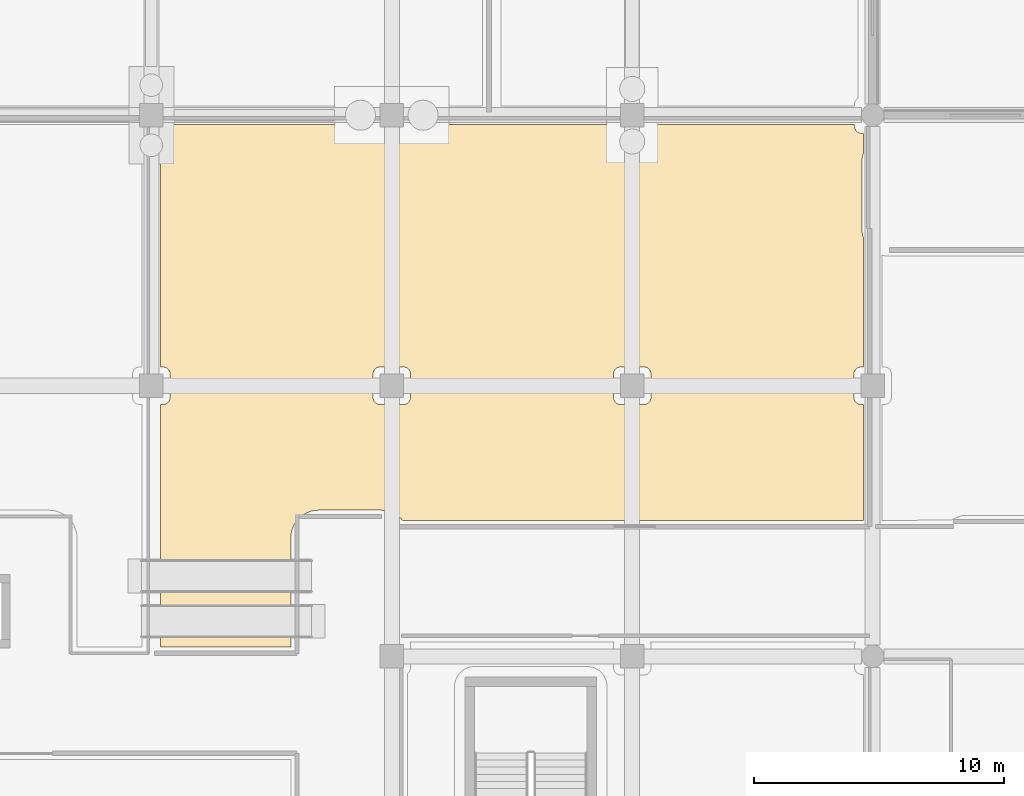
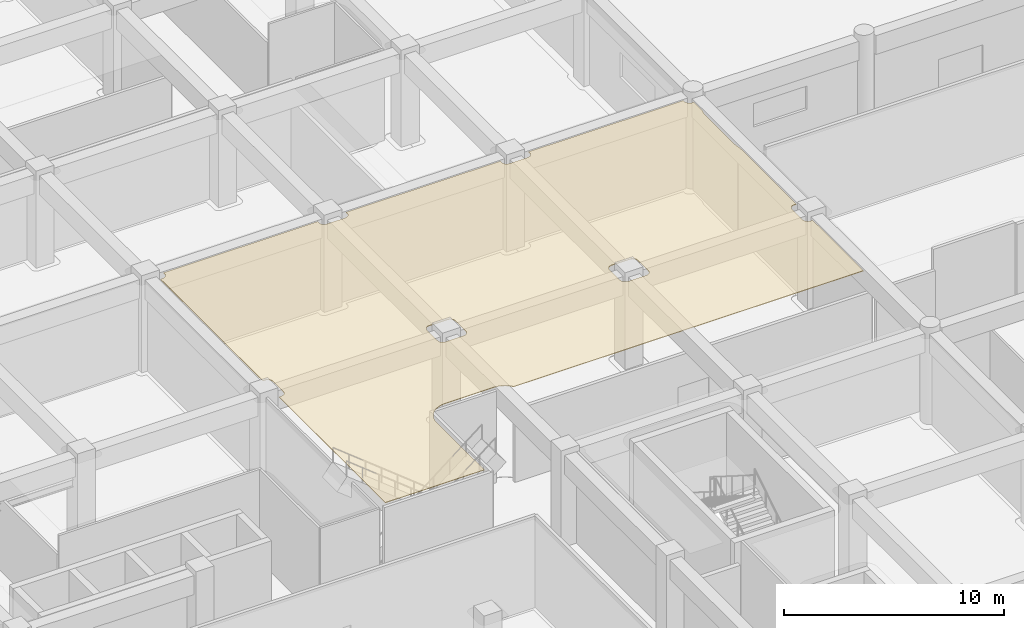
# One storey, part 56 of 74: 1 covering.
"""IFC4 building model written with IfcOpenShell, lengths in metres."""

from ifc_helpers import new_model, si_unit, direction, frame, origin, place, context, subcontext, project, spatial, polyline, outline, extrude, material, layer, layer_set, type_object, element, save


model = new_model("IFC4")

# Units and contexts
model_context = context("Model", 3, precision=1e-05, world=origin(), true_north=direction((0.0, 1.0)))
body_context = subcontext(model_context, "Body", "Model", "MODEL_VIEW")
ifc_project = project(units=[si_unit("LENGTHUNIT", "METRE"), si_unit("AREAUNIT", "SQUARE_METRE"), si_unit("VOLUMEUNIT", "CUBIC_METRE"), si_unit("PLANEANGLEUNIT", "RADIAN"), si_unit("MASSUNIT", "GRAM", prefix="KILO")], contexts=[model_context])

# Site, building, storey
site_placement = place(None, origin())
site = spatial("IfcSite", under=ifc_project, at=site_placement, CompositionType="ELEMENT")
building_placement = place(site_placement, origin())
building = spatial("IfcBuilding", under=site, at=building_placement, Name="Cendralis Terraced Arcade", CompositionType="ELEMENT")
storey_placement = place(building_placement, origin())
storey = spatial("IfcBuildingStorey", under=building, at=storey_placement, Name="L00", CompositionType="ELEMENT", Elevation=0.0)

# Covering
ifc_material = material(Name="Warm Andean oak timber", Category="wood")
ifc_layer = layer(ifc_material, 0.034912109375, Name="COV-CEIL-OAK-35")
ifc_layer_set = layer_set([ifc_layer], Name="Warm Andean oak timber")
covering_type = type_object("IfcCoveringType", Name="COV-CEIL-OAK-35", PredefinedType="CEILING", material=ifc_layer_set)
covering_placement = place(storey_placement, frame((0.0, 0.0, 5.054931640625)))
element("IfcCovering", 1, at=covering_placement, inside=storey, type_object=covering_type, Name="Acoustic Soffit Ceiling L00-029", PredefinedType="CEILING", context=body_context, shape_type="SweptSolid", body=[
    extrude(outline(polyline([(48.430908203125, 43.833251953125), (48.42724609375, 43.837890625), (48.423095703125, 43.84228515625), (48.382080078125, 43.887451171875), (48.378173828125, 43.89208984375), (48.3740234375, 43.896240234375), (48.36962890625, 43.900634765625), (48.361328125, 43.908935546875), (48.35693359375, 43.9130859375), (48.352783203125, 43.917236328125), (48.34814453125, 43.92138671875), (48.302978515625, 43.96240234375), (48.298583984375, 43.96630859375), (48.294189453125, 43.97021484375), (48.289306640625, 43.97412109375), (48.2802734375, 43.981689453125), (48.275390625, 43.985595703125), (48.27099609375, 43.989013671875), (48.26611328125, 43.992919921875), (48.217041015625, 44.029052734375), (48.212158203125, 44.03271484375), (48.207275390625, 44.0361328125), (48.202392578125, 44.03955078125), (48.1923828125, 44.046142578125), (48.187255859375, 44.04931640625), (48.182373046875, 44.052490234375), (48.177001953125, 44.055908203125), (48.125, 44.087158203125), (48.11962890625, 44.090087890625), (48.114501953125, 44.093017578125), (48.109130859375, 44.095947265625), (48.098876953125, 44.1015625), (48.09326171875, 44.1044921875), (48.087890625, 44.107177734375), (48.08251953125, 44.109619140625), (48.027587890625, 44.1357421875), (48.02197265625, 44.13818359375), (48.0166015625, 44.140625), (48.010986328125, 44.14306640625), (48.0, 44.147705078125), (47.994384765625, 44.14990234375), (47.989013671875, 44.152099609375), (47.983154296875, 44.154296875), (47.92578125, 44.1748046875), (47.919921875, 44.1767578125), (47.914306640625, 44.178466796875), (47.90869140625, 44.180419921875), (47.897216796875, 44.183837890625), (47.891357421875, 44.185546875), (47.8857421875, 44.18701171875), (47.8798828125, 44.188720703125), (47.82080078125, 44.203369140625), (47.814697265625, 44.204833984375), (47.80908203125, 44.2060546875), (47.802978515625, 44.20751953125), (47.79150390625, 44.209716796875), (47.785400390625, 44.210693359375), (47.77978515625, 44.2119140625), (47.773681640625, 44.212890625), (47.71337890625, 44.2216796875), (47.70751953125, 44.222412109375), (47.701416015625, 44.223388671875), (47.6953125, 44.223876953125), (47.68359375, 44.22509765625), (47.677490234375, 44.2255859375), (47.671630859375, 44.22607421875), (47.66552734375, 44.226318359375), (47.604736328125, 44.2294921875), (47.601806640625, 44.2294921875), (47.598876953125, 44.2294921875), (47.595703125, 44.229736328125), (47.58984375, 44.22998046875), (47.5869140625, 44.22998046875), (47.583740234375, 44.22998046875), (47.580810546875, 44.22998046875), (45.080078125, 44.22998046875), (45.076904296875, 44.22998046875), (45.073974609375, 44.22998046875), (45.07080078125, 44.22998046875), (45.06494140625, 44.229736328125), (45.06201171875, 44.2294921875), (45.05908203125, 44.2294921875), (45.055908203125, 44.2294921875), (44.9951171875, 44.226318359375), (44.989013671875, 44.22607421875), (44.983154296875, 44.2255859375), (44.97705078125, 44.22509765625), (44.96533203125, 44.223876953125), (44.959228515625, 44.223388671875), (44.953369140625, 44.222412109375), (44.947265625, 44.2216796875), (44.88720703125, 44.212890625), (44.881103515625, 44.2119140625), (44.875244140625, 44.210693359375), (44.869384765625, 44.209716796875), (44.857666015625, 44.20751953125), (44.851806640625, 44.2060546875), (44.845947265625, 44.204833984375), (44.840087890625, 44.203369140625), (44.781005859375, 44.188720703125), (44.77490234375, 44.18701171875), (44.769287109375, 44.185546875), (44.763427734375, 44.183837890625), (44.752197265625, 44.180419921875), (44.746337890625, 44.178466796875), (44.74072265625, 44.1767578125), (44.73486328125, 44.1748046875), (44.677734375, 44.154296875), (44.671875, 44.152099609375), (44.66650390625, 44.14990234375), (44.66064453125, 44.147705078125), (44.64990234375, 44.14306640625), (44.644287109375, 44.140625), (44.638916015625, 44.13818359375), (44.63330078125, 44.1357421875), (44.578125, 44.109619140625), (44.57275390625, 44.107177734375), (44.5673828125, 44.1044921875), (44.56201171875, 44.1015625), (44.551513671875, 44.095947265625), (44.546142578125, 44.093017578125), (44.541015625, 44.090087890625), (44.535888671875, 44.087158203125), (44.483642578125, 44.055908203125), (44.478515625, 44.052490234375), (44.473388671875, 44.04931640625), (44.46826171875, 44.046142578125), (44.45849609375, 44.03955078125), (44.453369140625, 44.0361328125), (44.448486328125, 44.03271484375), (44.443603515625, 44.029052734375), (44.394775390625, 43.992919921875), (44.389892578125, 43.989013671875), (44.38525390625, 43.985595703125), (44.380615234375, 43.981689453125), (44.371337890625, 43.97412109375), (44.36669921875, 43.97021484375), (44.3623046875, 43.96630859375), (44.357666015625, 43.96240234375), (44.3125, 43.92138671875), (44.30810546875, 43.917236328125), (44.3037109375, 43.9130859375), (44.29931640625, 43.908935546875), (44.291015625, 43.900634765625), (44.286865234375, 43.896240234375), (44.28271484375, 43.89208984375), (44.278564453125, 43.887451171875), (44.23779296875, 43.84228515625), (44.233642578125, 43.837890625), (44.229736328125, 43.833251953125), (44.225830078125, 43.82861328125), (44.21826171875, 43.819580078125), (44.214599609375, 43.814697265625), (44.2109375, 43.81005859375), (44.207275390625, 43.80517578125), (44.1708984375, 43.75634765625), (44.167236328125, 43.75146484375), (44.163818359375, 43.74658203125), (44.160400390625, 43.741455078125), (44.15380859375, 43.731689453125), (44.150634765625, 43.7265625), (44.1474609375, 43.7216796875), (44.144287109375, 43.71630859375), (44.11279296875, 43.664306640625), (44.10986328125, 43.658935546875), (44.10693359375, 43.65380859375), (44.10400390625, 43.6484375), (44.098388671875, 43.637939453125), (44.095703125, 43.632568359375), (44.093017578125, 43.627197265625), (44.09033203125, 43.621826171875), (44.064208984375, 43.56689453125), (44.061767578125, 43.561279296875), (44.059326171875, 43.555908203125), (44.056884765625, 43.55029296875), (44.052490234375, 43.539306640625), (44.050048828125, 43.53369140625), (44.048095703125, 43.528076171875), (44.0458984375, 43.522216796875), (44.025390625, 43.465087890625), (44.023193359375, 43.459228515625), (44.021484375, 43.45361328125), (44.01953125, 43.44775390625), (44.01611328125, 43.4365234375), (44.014404296875, 43.4306640625), (44.012939453125, 43.425048828125), (44.011474609375, 43.4189453125), (43.99658203125, 43.360107421875), (43.9951171875, 43.35400390625), (43.993896484375, 43.348388671875), (43.99267578125, 43.34228515625), (43.990234375, 43.330810546875), (43.9892578125, 43.32470703125), (43.98828125, 43.31884765625), (43.9873046875, 43.31298828125), (43.978271484375, 43.252685546875), (43.9775390625, 43.24658203125), (43.976806640625, 43.24072265625), (43.97607421875, 43.234619140625), (43.974853515625, 43.222900390625), (43.974365234375, 43.216796875), (43.97412109375, 43.2109375), (43.9736328125, 43.204833984375), (43.970703125, 43.14404296875), (43.970458984375, 43.14111328125), (43.970458984375, 43.137939453125), (43.97021484375, 43.135009765625), (43.97021484375, 43.129150390625), (43.97021484375, 43.1259765625), (43.969970703125, 43.123046875), (43.969970703125, 43.1201171875), (43.969970703125, 38.77001953125), (38.77001953125, 38.77001953125), (38.77001953125, 48.455078125), (38.875, 48.455078125), (38.88720703125, 48.455322265625), (38.88916015625, 48.455322265625), (38.91357421875, 48.457763671875), (38.91552734375, 48.4580078125), (38.939697265625, 48.462890625), (38.941650390625, 48.46337890625), (38.965087890625, 48.470458984375), (38.966796875, 48.47119140625), (38.989501953125, 48.48046875), (38.9912109375, 48.4814453125), (39.012939453125, 48.492919921875), (39.0146484375, 48.493896484375), (39.034912109375, 48.507568359375), (39.03662109375, 48.5087890625), (39.0556640625, 48.5244140625), (39.056884765625, 48.525634765625), (39.074462890625, 48.54296875), (39.07568359375, 48.54443359375), (39.09130859375, 48.5634765625), (39.09228515625, 48.56494140625), (39.106201171875, 48.58544921875), (39.107177734375, 48.5869140625), (39.11865234375, 48.608642578125), (39.119384765625, 48.610595703125), (39.12890625, 48.633056640625), (39.12939453125, 48.635009765625), (39.13671875, 48.658447265625), (39.13720703125, 48.660400390625), (39.141845703125, 48.684326171875), (39.14208984375, 48.686279296875), (39.14453125, 48.710693359375), (39.144775390625, 48.712646484375), (39.14501953125, 48.72509765625), (39.14501953125, 49.675048828125), (39.144775390625, 49.687255859375), (39.14453125, 49.689208984375), (39.14208984375, 49.713623046875), (39.141845703125, 49.715576171875), (39.13720703125, 49.739501953125), (39.13671875, 49.74169921875), (39.12939453125, 49.764892578125), (39.12890625, 49.766845703125), (39.119384765625, 49.78955078125), (39.11865234375, 49.791259765625), (39.107177734375, 49.81298828125), (39.106201171875, 49.814697265625), (39.09228515625, 49.8349609375), (39.09130859375, 49.836669921875), (39.07568359375, 49.855712890625), (39.074462890625, 49.85693359375), (39.056884765625, 49.87451171875), (39.0556640625, 49.875732421875), (39.03662109375, 49.891357421875), (39.034912109375, 49.892333984375), (39.0146484375, 49.906005859375), (39.012939453125, 49.906982421875), (38.9912109375, 49.918701171875), (38.989501953125, 49.91943359375), (38.966796875, 49.928955078125), (38.965087890625, 49.929443359375), (38.941650390625, 49.9365234375), (38.939697265625, 49.93701171875), (38.91552734375, 49.94189453125), (38.91357421875, 49.942138671875), (38.88916015625, 49.944580078125), (38.88720703125, 49.944580078125), (38.875, 49.945068359375), (38.77001953125, 49.945068359375), (38.77001953125, 59.2548828125), (38.875, 59.2548828125), (38.88720703125, 59.25537109375), (38.88916015625, 59.25537109375), (38.91357421875, 59.2578125), (38.91552734375, 59.258056640625), (38.939697265625, 59.262939453125), (38.941650390625, 59.263427734375), (38.965087890625, 59.2705078125), (38.966796875, 59.27099609375), (38.989501953125, 59.280517578125), (38.9912109375, 59.281494140625), (39.012939453125, 59.29296875), (39.0146484375, 59.2939453125), (39.034912109375, 59.3076171875), (39.03662109375, 59.30859375), (39.0556640625, 59.32421875), (39.056884765625, 59.32568359375), (39.074462890625, 59.343017578125), (39.07568359375, 59.344482421875), (39.09130859375, 59.36328125), (39.09228515625, 59.364990234375), (39.106201171875, 59.385498046875), (39.107177734375, 59.386962890625), (39.11865234375, 59.40869140625), (39.119384765625, 59.410400390625), (39.12890625, 59.43310546875), (39.12939453125, 59.43505859375), (39.13671875, 59.45849609375), (39.13720703125, 59.46044921875), (39.141845703125, 59.484375), (39.14208984375, 59.486328125), (39.14453125, 59.5107421875), (39.144775390625, 59.5126953125), (39.14501953125, 59.52490234375), (39.14501953125, 59.6298828125), (47.2548828125, 59.6298828125), (47.2548828125, 59.52490234375), (47.25537109375, 59.5126953125), (47.25537109375, 59.5107421875), (47.2578125, 59.486328125), (47.258056640625, 59.484375), (47.262939453125, 59.46044921875), (47.263427734375, 59.45849609375), (47.2705078125, 59.43505859375), (47.27099609375, 59.43310546875), (47.280517578125, 59.410400390625), (47.281494140625, 59.40869140625), (47.29296875, 59.386962890625), (47.2939453125, 59.385498046875), (47.3076171875, 59.364990234375), (47.30859375, 59.36328125), (47.32421875, 59.344482421875), (47.32568359375, 59.343017578125), (47.343017578125, 59.32568359375), (47.344482421875, 59.32421875), (47.36328125, 59.30859375), (47.364990234375, 59.3076171875), (47.385498046875, 59.2939453125), (47.386962890625, 59.29296875), (47.40869140625, 59.281494140625), (47.410400390625, 59.280517578125), (47.43310546875, 59.27099609375), (47.43505859375, 59.2705078125), (47.45849609375, 59.263427734375), (47.46044921875, 59.262939453125), (47.484375, 59.258056640625), (47.486328125, 59.2578125), (47.5107421875, 59.25537109375), (47.5126953125, 59.25537109375), (47.52490234375, 59.2548828125), (48.47509765625, 59.2548828125), (48.4873046875, 59.25537109375), (48.4892578125, 59.25537109375), (48.513671875, 59.2578125), (48.515625, 59.258056640625), (48.53955078125, 59.262939453125), (48.54150390625, 59.263427734375), (48.56494140625, 59.2705078125), (48.56689453125, 59.27099609375), (48.589599609375, 59.280517578125), (48.59130859375, 59.281494140625), (48.613037109375, 59.29296875), (48.614501953125, 59.2939453125), (48.635009765625, 59.3076171875), (48.63671875, 59.30859375), (48.655517578125, 59.32421875), (48.656982421875, 59.32568359375), (48.67431640625, 59.343017578125), (48.67578125, 59.344482421875), (48.69140625, 59.36328125), (48.6923828125, 59.364990234375), (48.7060546875, 59.385498046875), (48.70703125, 59.386962890625), (48.718505859375, 59.40869140625), (48.719482421875, 59.410400390625), (48.72900390625, 59.43310546875), (48.7294921875, 59.43505859375), (48.736572265625, 59.45849609375), (48.737060546875, 59.46044921875), (48.741943359375, 59.484375), (48.7421875, 59.486328125), (48.74462890625, 59.5107421875), (48.74462890625, 59.5126953125), (48.7451171875, 59.52490234375), (48.7451171875, 59.6298828125), (56.85498046875, 59.6298828125), (56.85498046875, 59.52490234375), (56.855224609375, 59.5126953125), (56.85546875, 59.5107421875), (56.85791015625, 59.486328125), (56.858154296875, 59.484375), (56.86279296875, 59.46044921875), (56.86328125, 59.45849609375), (56.87060546875, 59.43505859375), (56.87109375, 59.43310546875), (56.880615234375, 59.410400390625), (56.88134765625, 59.40869140625), (56.892822265625, 59.386962890625), (56.893798828125, 59.385498046875), (56.90771484375, 59.364990234375), (56.90869140625, 59.36328125), (56.92431640625, 59.344482421875), (56.925537109375, 59.343017578125), (56.943115234375, 59.32568359375), (56.9443359375, 59.32421875), (56.96337890625, 59.30859375), (56.965087890625, 59.3076171875), (56.9853515625, 59.2939453125), (56.987060546875, 59.29296875), (57.0087890625, 59.281494140625), (57.010498046875, 59.280517578125), (57.033203125, 59.27099609375), (57.034912109375, 59.2705078125), (57.058349609375, 59.263427734375), (57.060302734375, 59.262939453125), (57.08447265625, 59.258056640625), (57.08642578125, 59.2578125), (57.11083984375, 59.25537109375), (57.11279296875, 59.25537109375), (57.125, 59.2548828125), (58.074951171875, 59.2548828125), (58.08740234375, 59.25537109375), (58.089111328125, 59.25537109375), (58.113525390625, 59.2578125), (58.115478515625, 59.258056640625), (58.1396484375, 59.262939453125), (58.1416015625, 59.263427734375), (58.1650390625, 59.2705078125), (58.1669921875, 59.27099609375), (58.189453125, 59.280517578125), (58.19140625, 59.281494140625), (58.212890625, 59.29296875), (58.214599609375, 59.2939453125), (58.235107421875, 59.3076171875), (58.236572265625, 59.30859375), (58.255615234375, 59.32421875), (58.257080078125, 59.32568359375), (58.2744140625, 59.343017578125), (58.275634765625, 59.344482421875), (58.291259765625, 59.36328125), (58.29248046875, 59.364990234375), (58.30615234375, 59.385498046875), (58.30712890625, 59.386962890625), (58.318603515625, 59.40869140625), (58.319580078125, 59.410400390625), (58.328857421875, 59.43310546875), (58.32958984375, 59.43505859375), (58.336669921875, 59.45849609375), (58.337158203125, 59.46044921875), (58.341796875, 59.484375), (58.34228515625, 59.486328125), (58.344482421875, 59.5107421875), (58.3447265625, 59.5126953125), (58.344970703125, 59.52490234375), (58.344970703125, 59.6298828125), (66.47998046875, 59.6298828125), (66.47998046875, 59.550048828125), (66.480224609375, 59.53759765625), (66.48046875, 59.535888671875), (66.48291015625, 59.511474609375), (66.483154296875, 59.509521484375), (66.48779296875, 59.4853515625), (66.48828125, 59.4833984375), (66.49560546875, 59.4599609375), (66.49609375, 59.4580078125), (66.505615234375, 59.435546875), (66.50634765625, 59.43359375), (66.517822265625, 59.412109375), (66.518798828125, 59.410400390625), (66.53271484375, 59.389892578125), (66.53369140625, 59.388427734375), (66.54931640625, 59.369384765625), (66.550537109375, 59.367919921875), (66.568115234375, 59.3505859375), (66.5693359375, 59.349365234375), (66.58837890625, 59.333740234375), (66.590087890625, 59.33251953125), (66.6103515625, 59.31884765625), (66.612060546875, 59.31787109375), (66.6337890625, 59.306396484375), (66.635498046875, 59.305419921875), (66.658203125, 59.296142578125), (66.659912109375, 59.29541015625), (66.683349609375, 59.288330078125), (66.685302734375, 59.287841796875), (66.70947265625, 59.283203125), (66.71142578125, 59.28271484375), (66.73583984375, 59.280517578125), (66.73779296875, 59.2802734375), (66.75, 59.280029296875), (66.830078125, 59.280029296875), (66.830078125, 58.47802734375), (66.8251953125, 58.465087890625), (66.8232421875, 58.459228515625), (66.821533203125, 58.45361328125), (66.819580078125, 58.44775390625), (66.816162109375, 58.4365234375), (66.814453125, 58.4306640625), (66.81298828125, 58.425048828125), (66.811279296875, 58.4189453125), (66.796630859375, 58.360107421875), (66.795166015625, 58.35400390625), (66.7939453125, 58.348388671875), (66.79248046875, 58.34228515625), (66.790283203125, 58.330810546875), (66.789306640625, 58.32470703125), (66.7880859375, 58.31884765625), (66.787109375, 58.31298828125), (66.7783203125, 58.252685546875), (66.777587890625, 58.24658203125), (66.776611328125, 58.24072265625), (66.776123046875, 58.234619140625), (66.77490234375, 58.222900390625), (66.7744140625, 58.216796875), (66.77392578125, 58.2109375), (66.773681640625, 58.204833984375), (66.7705078125, 58.14404296875), (66.7705078125, 58.14111328125), (66.7705078125, 58.137939453125), (66.770263671875, 58.135009765625), (66.77001953125, 58.129150390625), (66.77001953125, 58.1259765625), (66.77001953125, 58.123046875), (66.77001953125, 58.1201171875), (66.77001953125, 55.47998046875), (66.77001953125, 55.476806640625), (66.77001953125, 55.47412109375), (66.77001953125, 55.470947265625), (66.770263671875, 55.465087890625), (66.7705078125, 55.4619140625), (66.7705078125, 55.458984375), (66.7705078125, 55.4560546875), (66.773681640625, 55.395263671875), (66.77392578125, 55.38916015625), (66.7744140625, 55.38330078125), (66.77490234375, 55.377197265625), (66.776123046875, 55.365478515625), (66.776611328125, 55.359375), (66.777587890625, 55.353515625), (66.7783203125, 55.347412109375), (66.787109375, 55.287109375), (66.7880859375, 55.281005859375), (66.789306640625, 55.275390625), (66.790283203125, 55.269287109375), (66.79248046875, 55.2578125), (66.7939453125, 55.251708984375), (66.795166015625, 55.24609375), (66.796630859375, 55.239990234375), (66.811279296875, 55.180908203125), (66.81298828125, 55.175048828125), (66.814453125, 55.16943359375), (66.816162109375, 55.16357421875), (66.819580078125, 55.152099609375), (66.821533203125, 55.146240234375), (66.8232421875, 55.140625), (66.8251953125, 55.135009765625), (66.830078125, 55.121826171875), (66.830078125, 49.945068359375), (66.72509765625, 49.945068359375), (66.712646484375, 49.944580078125), (66.710693359375, 49.944580078125), (66.686279296875, 49.942138671875), (66.684326171875, 49.94189453125), (66.660400390625, 49.93701171875), (66.658447265625, 49.9365234375), (66.635009765625, 49.929443359375), (66.633056640625, 49.928955078125), (66.610595703125, 49.91943359375), (66.608642578125, 49.918701171875), (66.5869140625, 49.906982421875), (66.58544921875, 49.906005859375), (66.56494140625, 49.892333984375), (66.5634765625, 49.891357421875), (66.54443359375, 49.875732421875), (66.54296875, 49.87451171875), (66.525634765625, 49.85693359375), (66.5244140625, 49.855712890625), (66.5087890625, 49.836669921875), (66.507568359375, 49.8349609375), (66.493896484375, 49.814697265625), (66.492919921875, 49.81298828125), (66.4814453125, 49.791259765625), (66.48046875, 49.78955078125), (66.47119140625, 49.766845703125), (66.470458984375, 49.764892578125), (66.46337890625, 49.74169921875), (66.462890625, 49.739501953125), (66.4580078125, 49.715576171875), (66.457763671875, 49.713623046875), (66.455322265625, 49.689208984375), (66.455322265625, 49.687255859375), (66.455078125, 49.675048828125), (66.455078125, 48.72509765625), (66.455322265625, 48.712646484375), (66.455322265625, 48.710693359375), (66.457763671875, 48.686279296875), (66.4580078125, 48.684326171875), (66.462890625, 48.660400390625), (66.46337890625, 48.658447265625), (66.470458984375, 48.635009765625), (66.47119140625, 48.633056640625), (66.48046875, 48.610595703125), (66.4814453125, 48.608642578125), (66.492919921875, 48.5869140625), (66.493896484375, 48.58544921875), (66.507568359375, 48.56494140625), (66.5087890625, 48.5634765625), (66.5244140625, 48.54443359375), (66.525634765625, 48.54296875), (66.54296875, 48.525634765625), (66.54443359375, 48.5244140625), (66.5634765625, 48.5087890625), (66.56494140625, 48.507568359375), (66.58544921875, 48.493896484375), (66.5869140625, 48.492919921875), (66.608642578125, 48.4814453125), (66.610595703125, 48.48046875), (66.633056640625, 48.47119140625), (66.635009765625, 48.470458984375), (66.658447265625, 48.46337890625), (66.660400390625, 48.462890625), (66.684326171875, 48.4580078125), (66.686279296875, 48.457763671875), (66.710693359375, 48.455322265625), (66.712646484375, 48.455322265625), (66.72509765625, 48.455078125), (66.830078125, 48.455078125), (66.830078125, 43.830078125), (48.433837890625, 43.830078125), (48.430908203125, 43.833251953125)]), holes=[polyline([(57.0087890625, 48.4814453125), (57.010498046875, 48.48046875), (57.033203125, 48.47119140625), (57.034912109375, 48.470458984375), (57.058349609375, 48.46337890625), (57.060302734375, 48.462890625), (57.08447265625, 48.4580078125), (57.08642578125, 48.457763671875), (57.11083984375, 48.455322265625), (57.11279296875, 48.455322265625), (57.125, 48.455078125), (58.074951171875, 48.455078125), (58.08740234375, 48.455322265625), (58.089111328125, 48.455322265625), (58.113525390625, 48.457763671875), (58.115478515625, 48.4580078125), (58.1396484375, 48.462890625), (58.1416015625, 48.46337890625), (58.1650390625, 48.470458984375), (58.1669921875, 48.47119140625), (58.189453125, 48.48046875), (58.19140625, 48.4814453125), (58.212890625, 48.492919921875), (58.214599609375, 48.493896484375), (58.235107421875, 48.507568359375), (58.236572265625, 48.5087890625), (58.255615234375, 48.5244140625), (58.257080078125, 48.525634765625), (58.2744140625, 48.54296875), (58.275634765625, 48.54443359375), (58.291259765625, 48.5634765625), (58.29248046875, 48.56494140625), (58.30615234375, 48.58544921875), (58.30712890625, 48.5869140625), (58.318603515625, 48.608642578125), (58.319580078125, 48.610595703125), (58.328857421875, 48.633056640625), (58.32958984375, 48.635009765625), (58.336669921875, 48.658447265625), (58.337158203125, 48.660400390625), (58.341796875, 48.684326171875), (58.34228515625, 48.686279296875), (58.344482421875, 48.710693359375), (58.3447265625, 48.712646484375), (58.344970703125, 48.72509765625), (58.344970703125, 49.675048828125), (58.3447265625, 49.687255859375), (58.344482421875, 49.689208984375), (58.34228515625, 49.713623046875), (58.341796875, 49.715576171875), (58.337158203125, 49.739501953125), (58.336669921875, 49.74169921875), (58.32958984375, 49.764892578125), (58.328857421875, 49.766845703125), (58.319580078125, 49.78955078125), (58.318603515625, 49.791259765625), (58.30712890625, 49.81298828125), (58.30615234375, 49.814697265625), (58.29248046875, 49.8349609375), (58.291259765625, 49.836669921875), (58.275634765625, 49.855712890625), (58.2744140625, 49.85693359375), (58.257080078125, 49.87451171875), (58.255615234375, 49.875732421875), (58.236572265625, 49.891357421875), (58.235107421875, 49.892333984375), (58.214599609375, 49.906005859375), (58.212890625, 49.906982421875), (58.19140625, 49.918701171875), (58.189453125, 49.91943359375), (58.1669921875, 49.928955078125), (58.1650390625, 49.929443359375), (58.1416015625, 49.9365234375), (58.1396484375, 49.93701171875), (58.115478515625, 49.94189453125), (58.113525390625, 49.942138671875), (58.089111328125, 49.944580078125), (58.08740234375, 49.944580078125), (58.074951171875, 49.945068359375), (57.125, 49.945068359375), (57.11279296875, 49.944580078125), (57.11083984375, 49.944580078125), (57.08642578125, 49.942138671875), (57.08447265625, 49.94189453125), (57.060302734375, 49.93701171875), (57.058349609375, 49.9365234375), (57.034912109375, 49.929443359375), (57.033203125, 49.928955078125), (57.010498046875, 49.91943359375), (57.0087890625, 49.918701171875), (56.987060546875, 49.906982421875), (56.9853515625, 49.906005859375), (56.965087890625, 49.892333984375), (56.96337890625, 49.891357421875), (56.9443359375, 49.875732421875), (56.943115234375, 49.87451171875), (56.925537109375, 49.85693359375), (56.92431640625, 49.855712890625), (56.90869140625, 49.836669921875), (56.90771484375, 49.8349609375), (56.893798828125, 49.814697265625), (56.892822265625, 49.81298828125), (56.88134765625, 49.791259765625), (56.880615234375, 49.78955078125), (56.87109375, 49.766845703125), (56.87060546875, 49.764892578125), (56.86328125, 49.74169921875), (56.86279296875, 49.739501953125), (56.858154296875, 49.715576171875), (56.85791015625, 49.713623046875), (56.85546875, 49.689208984375), (56.855224609375, 49.687255859375), (56.85498046875, 49.675048828125), (56.85498046875, 48.72509765625), (56.855224609375, 48.712646484375), (56.85546875, 48.710693359375), (56.85791015625, 48.686279296875), (56.858154296875, 48.684326171875), (56.86279296875, 48.660400390625), (56.86328125, 48.658447265625), (56.87060546875, 48.635009765625), (56.87109375, 48.633056640625), (56.880615234375, 48.610595703125), (56.88134765625, 48.608642578125), (56.892822265625, 48.5869140625), (56.893798828125, 48.58544921875), (56.90771484375, 48.56494140625), (56.90869140625, 48.5634765625), (56.92431640625, 48.54443359375), (56.925537109375, 48.54296875), (56.943115234375, 48.525634765625), (56.9443359375, 48.5244140625), (56.96337890625, 48.5087890625), (56.965087890625, 48.507568359375), (56.9853515625, 48.493896484375), (56.987060546875, 48.492919921875), (57.0087890625, 48.4814453125)]), polyline([(47.385498046875, 48.493896484375), (47.386962890625, 48.492919921875), (47.40869140625, 48.4814453125), (47.410400390625, 48.48046875), (47.43310546875, 48.47119140625), (47.43505859375, 48.470458984375), (47.45849609375, 48.46337890625), (47.46044921875, 48.462890625), (47.484375, 48.4580078125), (47.486328125, 48.457763671875), (47.5107421875, 48.455322265625), (47.5126953125, 48.455322265625), (47.52490234375, 48.455078125), (48.47509765625, 48.455078125), (48.4873046875, 48.455322265625), (48.4892578125, 48.455322265625), (48.513671875, 48.457763671875), (48.515625, 48.4580078125), (48.53955078125, 48.462890625), (48.54150390625, 48.46337890625), (48.56494140625, 48.470458984375), (48.56689453125, 48.47119140625), (48.589599609375, 48.48046875), (48.59130859375, 48.4814453125), (48.613037109375, 48.492919921875), (48.614501953125, 48.493896484375), (48.635009765625, 48.507568359375), (48.63671875, 48.5087890625), (48.655517578125, 48.5244140625), (48.656982421875, 48.525634765625), (48.67431640625, 48.54296875), (48.67578125, 48.54443359375), (48.69140625, 48.5634765625), (48.6923828125, 48.56494140625), (48.7060546875, 48.58544921875), (48.70703125, 48.5869140625), (48.718505859375, 48.608642578125), (48.719482421875, 48.610595703125), (48.72900390625, 48.633056640625), (48.7294921875, 48.635009765625), (48.736572265625, 48.658447265625), (48.737060546875, 48.660400390625), (48.741943359375, 48.684326171875), (48.7421875, 48.686279296875), (48.74462890625, 48.710693359375), (48.74462890625, 48.712646484375), (48.7451171875, 48.72509765625), (48.7451171875, 49.675048828125), (48.74462890625, 49.687255859375), (48.74462890625, 49.689208984375), (48.7421875, 49.713623046875), (48.741943359375, 49.715576171875), (48.737060546875, 49.739501953125), (48.736572265625, 49.74169921875), (48.7294921875, 49.764892578125), (48.72900390625, 49.766845703125), (48.719482421875, 49.78955078125), (48.718505859375, 49.791259765625), (48.70703125, 49.81298828125), (48.7060546875, 49.814697265625), (48.6923828125, 49.8349609375), (48.69140625, 49.836669921875), (48.67578125, 49.855712890625), (48.67431640625, 49.85693359375), (48.656982421875, 49.87451171875), (48.655517578125, 49.875732421875), (48.63671875, 49.891357421875), (48.635009765625, 49.892333984375), (48.614501953125, 49.906005859375), (48.613037109375, 49.906982421875), (48.59130859375, 49.918701171875), (48.589599609375, 49.91943359375), (48.56689453125, 49.928955078125), (48.56494140625, 49.929443359375), (48.54150390625, 49.9365234375), (48.53955078125, 49.93701171875), (48.515625, 49.94189453125), (48.513671875, 49.942138671875), (48.4892578125, 49.944580078125), (48.4873046875, 49.944580078125), (48.47509765625, 49.945068359375), (47.52490234375, 49.945068359375), (47.5126953125, 49.944580078125), (47.5107421875, 49.944580078125), (47.486328125, 49.942138671875), (47.484375, 49.94189453125), (47.46044921875, 49.93701171875), (47.45849609375, 49.9365234375), (47.43505859375, 49.929443359375), (47.43310546875, 49.928955078125), (47.410400390625, 49.91943359375), (47.40869140625, 49.918701171875), (47.386962890625, 49.906982421875), (47.385498046875, 49.906005859375), (47.364990234375, 49.892333984375), (47.36328125, 49.891357421875), (47.344482421875, 49.875732421875), (47.343017578125, 49.87451171875), (47.32568359375, 49.85693359375), (47.32421875, 49.855712890625), (47.30859375, 49.836669921875), (47.3076171875, 49.8349609375), (47.2939453125, 49.814697265625), (47.29296875, 49.81298828125), (47.281494140625, 49.791259765625), (47.280517578125, 49.78955078125), (47.27099609375, 49.766845703125), (47.2705078125, 49.764892578125), (47.263427734375, 49.74169921875), (47.262939453125, 49.739501953125), (47.258056640625, 49.715576171875), (47.2578125, 49.713623046875), (47.25537109375, 49.689208984375), (47.25537109375, 49.687255859375), (47.2548828125, 49.675048828125), (47.2548828125, 48.72509765625), (47.25537109375, 48.712646484375), (47.25537109375, 48.710693359375), (47.2578125, 48.686279296875), (47.258056640625, 48.684326171875), (47.262939453125, 48.660400390625), (47.263427734375, 48.658447265625), (47.2705078125, 48.635009765625), (47.27099609375, 48.633056640625), (47.280517578125, 48.610595703125), (47.281494140625, 48.608642578125), (47.29296875, 48.5869140625), (47.2939453125, 48.58544921875), (47.3076171875, 48.56494140625), (47.30859375, 48.5634765625), (47.32421875, 48.54443359375), (47.32568359375, 48.54296875), (47.343017578125, 48.525634765625), (47.344482421875, 48.5244140625), (47.36328125, 48.5087890625), (47.364990234375, 48.507568359375), (47.385498046875, 48.493896484375)])]), origin(), (0.0, 0.0, 1.0), 0.03515625),
])

save(model, "model.ifc")
